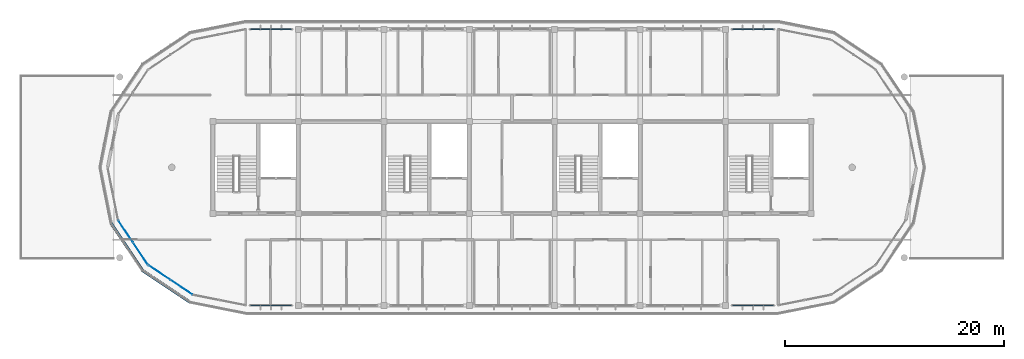
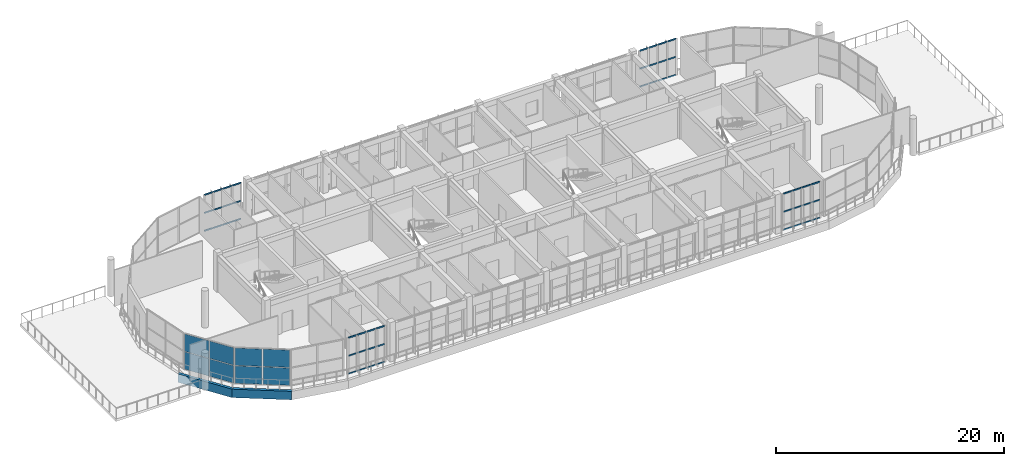
# One storey, part 27 of 44: 48 members, 10 plates, 6 elements without a shape of their own.
"""IFC4 building model written with IfcOpenShell, lengths in metres."""

from ifc_helpers import new_model, si_unit, direction, frame, origin, origin_2d, place, context, subcontext, project, spatial, polyline, rectangle, hollow_rectangle, outline, extrude, material, layer, layer_set, material_profile, profile_set, type_object, element, aggregate, save


model = new_model("IFC4")

# Units and contexts
model_context = context("Model", 3, precision=1e-05, world=origin(), true_north=direction((0.0, 1.0)))
body_context = subcontext(model_context, "Body", "Model", "MODEL_VIEW")
ifc_project = project(units=[si_unit("LENGTHUNIT", "METRE"), si_unit("AREAUNIT", "SQUARE_METRE"), si_unit("VOLUMEUNIT", "CUBIC_METRE"), si_unit("PLANEANGLEUNIT", "RADIAN"), si_unit("MASSUNIT", "GRAM", prefix="KILO")], contexts=[model_context])

# Site, building, storey
site_placement = place(None, origin())
site = spatial("IfcSite", under=ifc_project, at=site_placement, CompositionType="ELEMENT")
building_placement = place(site_placement, origin())
building = spatial("IfcBuilding", under=site, at=building_placement, Name="Zizhar Promenade General Hospital", CompositionType="ELEMENT")
storey_placement = place(building_placement, frame((0.0, 0.0, 34.800048828125)))
storey = spatial("IfcBuildingStorey", under=building, at=storey_placement, Name="L08", CompositionType="ELEMENT", Elevation=34.800048828125)

# Curtain wall, members
ifc_material_1 = material(Name="Anodised aluminium 6063-T6 and low-E glass", Category="aluminium")
ifc_layer_1 = layer(ifc_material_1, 0.159912109375)
ifc_layer_set_1 = layer_set([ifc_layer_1], Name="Anodised aluminium 6063-T6 and low-E glass")
curtain_wall_type_1 = type_object("IfcCurtainWallType", Name="CW-WARD-RIB", PredefinedType="NOTDEFINED", material=ifc_layer_set_1)
curtain_wall_1_placement = place(storey_placement, origin())
curtain_wall_1 = element("IfcCurtainWall", 1, at=curtain_wall_1_placement, inside=storey, type_object=curtain_wall_type_1, Name="Ward Ribbon Curtain Wall L08-8-0", PredefinedType="NOTDEFINED")
ifc_material_2 = material(Name="Anodised aluminium 6063-T6", Category="aluminium")
ifc_material_profile = material_profile(ifc_material_2, hollow_rectangle(XDim=0.06005859375, YDim=0.14990234375, WallThickness=0.00390625, at=origin_2d()))
ifc_profile_set = profile_set([ifc_material_profile], Name="Anodised aluminium 6063-T6")
member_type = type_object("IfcMemberType", Name="CWT-ALU-150x60", PredefinedType="USERDEFINED", material=ifc_profile_set)
member_1_placement = place(storey_placement, frame((50.260009765625, 25.199951171875, 0.030029296875), z_axis=(1.0, 0.0, 0.0), x_axis=(0.0, 1.0, 0.0)))
member_1 = element("IfcMember", 2, at=member_1_placement, type_object=member_type, Name="CW-13 transom 1.1", ObjectType="TRANSOM", PredefinedType="USERDEFINED", context=body_context, shape_type="SweptSolid", body=[
    extrude(hollow_rectangle(XDim=0.06005859375, YDim=0.14990234375, WallThickness=0.00390625, at=origin_2d()), origin(), (0.0, 0.0, 1.0), 0.840087890625),
])
member_2_placement = place(storey_placement, frame((50.260009765625, 25.199951171875, 1.949951171875), z_axis=(1.0, 0.0, 0.0), x_axis=(0.0, 1.0, 0.0)))
member_2 = element("IfcMember", 3, at=member_2_placement, type_object=member_type, Name="CW-13 transom 1.2", ObjectType="TRANSOM", PredefinedType="USERDEFINED", context=body_context, shape_type="SweptSolid", body=[
    extrude(hollow_rectangle(XDim=0.06005859375, YDim=0.14990234375, WallThickness=0.00390625, at=origin_2d()), origin(), (0.0, 0.0, 1.0), 0.840087890625),
])
member_3_placement = place(storey_placement, frame((50.260009765625, 25.199951171875, 3.869873046875), z_axis=(1.0, 0.0, 0.0), x_axis=(0.0, 1.0, 0.0)))
member_3 = element("IfcMember", 4, at=member_3_placement, type_object=member_type, Name="CW-13 transom 1.3", ObjectType="TRANSOM", PredefinedType="USERDEFINED", context=body_context, shape_type="SweptSolid", body=[
    extrude(hollow_rectangle(XDim=0.06005859375, YDim=0.14990234375, WallThickness=0.00390625, at=origin_2d()), origin(), (0.0, 0.0, 1.0), 0.840087890625),
])
member_4_placement = place(storey_placement, frame((51.179931640625, 25.199951171875, 0.030029296875), z_axis=(1.0, 0.0, 0.0), x_axis=(0.0, 1.0, 0.0)))
member_4 = element("IfcMember", 5, at=member_4_placement, type_object=member_type, Name="CW-13 transom 2.1", ObjectType="TRANSOM", PredefinedType="USERDEFINED", context=body_context, shape_type="SweptSolid", body=[
    extrude(hollow_rectangle(XDim=0.06005859375, YDim=0.14990234375, WallThickness=0.00390625, at=origin_2d()), origin(), (0.0, 0.0, 1.0), 0.880126953125),
])
member_5_placement = place(storey_placement, frame((51.179931640625, 25.199951171875, 1.949951171875), z_axis=(1.0, 0.0, 0.0), x_axis=(0.0, 1.0, 0.0)))
member_5 = element("IfcMember", 6, at=member_5_placement, type_object=member_type, Name="CW-13 transom 2.2", ObjectType="TRANSOM", PredefinedType="USERDEFINED", context=body_context, shape_type="SweptSolid", body=[
    extrude(hollow_rectangle(XDim=0.06005859375, YDim=0.14990234375, WallThickness=0.00390625, at=origin_2d()), origin(), (0.0, 0.0, 1.0), 0.880126953125),
])
member_6_placement = place(storey_placement, frame((51.179931640625, 25.199951171875, 3.869873046875), z_axis=(1.0, 0.0, 0.0), x_axis=(0.0, 1.0, 0.0)))
member_6 = element("IfcMember", 7, at=member_6_placement, type_object=member_type, Name="CW-13 transom 2.3", ObjectType="TRANSOM", PredefinedType="USERDEFINED", context=body_context, shape_type="SweptSolid", body=[
    extrude(hollow_rectangle(XDim=0.06005859375, YDim=0.14990234375, WallThickness=0.00390625, at=origin_2d()), origin(), (0.0, 0.0, 1.0), 0.880126953125),
])
member_7_placement = place(storey_placement, frame((52.139892578125, 25.199951171875, 0.030029296875), z_axis=(1.0, 0.0, 0.0), x_axis=(0.0, 1.0, 0.0)))
member_7 = element("IfcMember", 8, at=member_7_placement, type_object=member_type, Name="CW-13 transom 3.1", ObjectType="TRANSOM", PredefinedType="USERDEFINED", context=body_context, shape_type="SweptSolid", body=[
    extrude(hollow_rectangle(XDim=0.06005859375, YDim=0.14990234375, WallThickness=0.00390625, at=origin_2d()), origin(), (0.0, 0.0, 1.0), 0.880126953125),
])
member_8_placement = place(storey_placement, frame((52.139892578125, 25.199951171875, 1.949951171875), z_axis=(1.0, 0.0, 0.0), x_axis=(0.0, 1.0, 0.0)))
member_8 = element("IfcMember", 9, at=member_8_placement, type_object=member_type, Name="CW-13 transom 3.2", ObjectType="TRANSOM", PredefinedType="USERDEFINED", context=body_context, shape_type="SweptSolid", body=[
    extrude(hollow_rectangle(XDim=0.06005859375, YDim=0.14990234375, WallThickness=0.00390625, at=origin_2d()), origin(), (0.0, 0.0, 1.0), 0.880126953125),
])
member_9_placement = place(storey_placement, frame((52.139892578125, 25.199951171875, 3.869873046875), z_axis=(1.0, 0.0, 0.0), x_axis=(0.0, 1.0, 0.0)))
member_9 = element("IfcMember", 10, at=member_9_placement, type_object=member_type, Name="CW-13 transom 3.3", ObjectType="TRANSOM", PredefinedType="USERDEFINED", context=body_context, shape_type="SweptSolid", body=[
    extrude(hollow_rectangle(XDim=0.06005859375, YDim=0.14990234375, WallThickness=0.00390625, at=origin_2d()), origin(), (0.0, 0.0, 1.0), 0.880126953125),
])
member_10_placement = place(storey_placement, frame((53.10009765625, 25.199951171875, 0.030029296875), z_axis=(1.0, 0.0, 0.0), x_axis=(0.0, 1.0, 0.0)))
member_10 = element("IfcMember", 11, at=member_10_placement, type_object=member_type, Name="CW-13 transom 4.1", ObjectType="TRANSOM", PredefinedType="USERDEFINED", context=body_context, shape_type="SweptSolid", body=[
    extrude(hollow_rectangle(XDim=0.06005859375, YDim=0.14990234375, WallThickness=0.00390625, at=origin_2d()), origin(), (0.0, 0.0, 1.0), 0.83984375),
])
member_11_placement = place(storey_placement, frame((53.10009765625, 25.199951171875, 1.949951171875), z_axis=(1.0, 0.0, 0.0), x_axis=(0.0, 1.0, 0.0)))
member_11 = element("IfcMember", 12, at=member_11_placement, type_object=member_type, Name="CW-13 transom 4.2", ObjectType="TRANSOM", PredefinedType="USERDEFINED", context=body_context, shape_type="SweptSolid", body=[
    extrude(hollow_rectangle(XDim=0.06005859375, YDim=0.14990234375, WallThickness=0.00390625, at=origin_2d()), origin(), (0.0, 0.0, 1.0), 0.83984375),
])
member_12_placement = place(storey_placement, frame((53.10009765625, 25.199951171875, 3.869873046875), z_axis=(1.0, 0.0, 0.0), x_axis=(0.0, 1.0, 0.0)))
member_12 = element("IfcMember", 13, at=member_12_placement, type_object=member_type, Name="CW-13 transom 4.3", ObjectType="TRANSOM", PredefinedType="USERDEFINED", context=body_context, shape_type="SweptSolid", body=[
    extrude(hollow_rectangle(XDim=0.06005859375, YDim=0.14990234375, WallThickness=0.00390625, at=origin_2d()), origin(), (0.0, 0.0, 1.0), 0.83984375),
])
aggregate(curtain_wall_1, [member_1, member_2, member_3, member_4, member_5, member_6, member_7, member_8, member_9, member_10, member_11, member_12])

curtain_wall_2_placement = place(storey_placement, origin())
curtain_wall_2 = element("IfcCurtainWall", 14, at=curtain_wall_2_placement, inside=storey, type_object=curtain_wall_type_1, Name="Ward Ribbon Curtain Wall L08-8-6", PredefinedType="NOTDEFINED")
member_13_placement = place(storey_placement, frame((94.260009765625, 25.199951171875, 0.030029296875), z_axis=(1.0, 0.0, 0.0), x_axis=(0.0, 1.0, 0.0)))
member_13 = element("IfcMember", 15, at=member_13_placement, type_object=member_type, Name="CW-13 transom 1.1", ObjectType="TRANSOM", PredefinedType="USERDEFINED", context=body_context, shape_type="SweptSolid", body=[
    extrude(hollow_rectangle(XDim=0.06005859375, YDim=0.14990234375, WallThickness=0.00390625, at=origin_2d()), origin(), (0.0, 0.0, 1.0), 0.840087890625),
])
member_14_placement = place(storey_placement, frame((94.260009765625, 25.199951171875, 1.949951171875), z_axis=(1.0, 0.0, 0.0), x_axis=(0.0, 1.0, 0.0)))
member_14 = element("IfcMember", 16, at=member_14_placement, type_object=member_type, Name="CW-13 transom 1.2", ObjectType="TRANSOM", PredefinedType="USERDEFINED", context=body_context, shape_type="SweptSolid", body=[
    extrude(hollow_rectangle(XDim=0.06005859375, YDim=0.14990234375, WallThickness=0.00390625, at=origin_2d()), origin(), (0.0, 0.0, 1.0), 0.840087890625),
])
member_15_placement = place(storey_placement, frame((94.260009765625, 25.199951171875, 3.869873046875), z_axis=(1.0, 0.0, 0.0), x_axis=(0.0, 1.0, 0.0)))
member_15 = element("IfcMember", 17, at=member_15_placement, type_object=member_type, Name="CW-13 transom 1.3", ObjectType="TRANSOM", PredefinedType="USERDEFINED", context=body_context, shape_type="SweptSolid", body=[
    extrude(hollow_rectangle(XDim=0.06005859375, YDim=0.14990234375, WallThickness=0.00390625, at=origin_2d()), origin(), (0.0, 0.0, 1.0), 0.840087890625),
])
member_16_placement = place(storey_placement, frame((95.179931640625, 25.199951171875, 0.030029296875), z_axis=(1.0, 0.0, 0.0), x_axis=(0.0, 1.0, 0.0)))
member_16 = element("IfcMember", 18, at=member_16_placement, type_object=member_type, Name="CW-13 transom 2.1", ObjectType="TRANSOM", PredefinedType="USERDEFINED", context=body_context, shape_type="SweptSolid", body=[
    extrude(hollow_rectangle(XDim=0.06005859375, YDim=0.14990234375, WallThickness=0.00390625, at=origin_2d()), origin(), (0.0, 0.0, 1.0), 0.880126953125),
])
member_17_placement = place(storey_placement, frame((95.179931640625, 25.199951171875, 1.949951171875), z_axis=(1.0, 0.0, 0.0), x_axis=(0.0, 1.0, 0.0)))
member_17 = element("IfcMember", 19, at=member_17_placement, type_object=member_type, Name="CW-13 transom 2.2", ObjectType="TRANSOM", PredefinedType="USERDEFINED", context=body_context, shape_type="SweptSolid", body=[
    extrude(hollow_rectangle(XDim=0.06005859375, YDim=0.14990234375, WallThickness=0.00390625, at=origin_2d()), origin(), (0.0, 0.0, 1.0), 0.880126953125),
])
member_18_placement = place(storey_placement, frame((95.179931640625, 25.199951171875, 3.869873046875), z_axis=(1.0, 0.0, 0.0), x_axis=(0.0, 1.0, 0.0)))
member_18 = element("IfcMember", 20, at=member_18_placement, type_object=member_type, Name="CW-13 transom 2.3", ObjectType="TRANSOM", PredefinedType="USERDEFINED", context=body_context, shape_type="SweptSolid", body=[
    extrude(hollow_rectangle(XDim=0.06005859375, YDim=0.14990234375, WallThickness=0.00390625, at=origin_2d()), origin(), (0.0, 0.0, 1.0), 0.880126953125),
])
member_19_placement = place(storey_placement, frame((96.139892578125, 25.199951171875, 0.030029296875), z_axis=(1.0, 0.0, 0.0), x_axis=(0.0, 1.0, 0.0)))
member_19 = element("IfcMember", 21, at=member_19_placement, type_object=member_type, Name="CW-13 transom 3.1", ObjectType="TRANSOM", PredefinedType="USERDEFINED", context=body_context, shape_type="SweptSolid", body=[
    extrude(hollow_rectangle(XDim=0.06005859375, YDim=0.14990234375, WallThickness=0.00390625, at=origin_2d()), origin(), (0.0, 0.0, 1.0), 0.880126953125),
])
member_20_placement = place(storey_placement, frame((96.139892578125, 25.199951171875, 1.949951171875), z_axis=(1.0, 0.0, 0.0), x_axis=(0.0, 1.0, 0.0)))
member_20 = element("IfcMember", 22, at=member_20_placement, type_object=member_type, Name="CW-13 transom 3.2", ObjectType="TRANSOM", PredefinedType="USERDEFINED", context=body_context, shape_type="SweptSolid", body=[
    extrude(hollow_rectangle(XDim=0.06005859375, YDim=0.14990234375, WallThickness=0.00390625, at=origin_2d()), origin(), (0.0, 0.0, 1.0), 0.880126953125),
])
member_21_placement = place(storey_placement, frame((96.139892578125, 25.199951171875, 3.869873046875), z_axis=(1.0, 0.0, 0.0), x_axis=(0.0, 1.0, 0.0)))
member_21 = element("IfcMember", 23, at=member_21_placement, type_object=member_type, Name="CW-13 transom 3.3", ObjectType="TRANSOM", PredefinedType="USERDEFINED", context=body_context, shape_type="SweptSolid", body=[
    extrude(hollow_rectangle(XDim=0.06005859375, YDim=0.14990234375, WallThickness=0.00390625, at=origin_2d()), origin(), (0.0, 0.0, 1.0), 0.880126953125),
])
member_22_placement = place(storey_placement, frame((97.10009765625, 25.199951171875, 0.030029296875), z_axis=(1.0, 0.0, 0.0), x_axis=(0.0, 1.0, 0.0)))
member_22 = element("IfcMember", 24, at=member_22_placement, type_object=member_type, Name="CW-13 transom 4.1", ObjectType="TRANSOM", PredefinedType="USERDEFINED", context=body_context, shape_type="SweptSolid", body=[
    extrude(hollow_rectangle(XDim=0.06005859375, YDim=0.14990234375, WallThickness=0.00390625, at=origin_2d()), origin(), (0.0, 0.0, 1.0), 0.83984375),
])
member_23_placement = place(storey_placement, frame((97.10009765625, 25.199951171875, 1.949951171875), z_axis=(1.0, 0.0, 0.0), x_axis=(0.0, 1.0, 0.0)))
member_23 = element("IfcMember", 25, at=member_23_placement, type_object=member_type, Name="CW-13 transom 4.2", ObjectType="TRANSOM", PredefinedType="USERDEFINED", context=body_context, shape_type="SweptSolid", body=[
    extrude(hollow_rectangle(XDim=0.06005859375, YDim=0.14990234375, WallThickness=0.00390625, at=origin_2d()), origin(), (0.0, 0.0, 1.0), 0.83984375),
])
member_24_placement = place(storey_placement, frame((97.10009765625, 25.199951171875, 3.869873046875), z_axis=(1.0, 0.0, 0.0), x_axis=(0.0, 1.0, 0.0)))
member_24 = element("IfcMember", 26, at=member_24_placement, type_object=member_type, Name="CW-13 transom 4.3", ObjectType="TRANSOM", PredefinedType="USERDEFINED", context=body_context, shape_type="SweptSolid", body=[
    extrude(hollow_rectangle(XDim=0.06005859375, YDim=0.14990234375, WallThickness=0.00390625, at=origin_2d()), origin(), (0.0, 0.0, 1.0), 0.83984375),
])
aggregate(curtain_wall_2, [member_13, member_14, member_15, member_16, member_17, member_18, member_19, member_20, member_21, member_22, member_23, member_24])

curtain_wall_3_placement = place(storey_placement, origin())
curtain_wall_3 = element("IfcCurtainWall", 27, at=curtain_wall_3_placement, inside=storey, type_object=curtain_wall_type_1, Name="Ward Ribbon Curtain Wall L08-17-0", PredefinedType="NOTDEFINED")
member_25_placement = place(storey_placement, frame((97.93994140625, 0.0, 0.030029296875), z_axis=(-1.0, 0.0, 0.0), x_axis=(0.0, -1.0, 0.0)))
member_25 = element("IfcMember", 28, at=member_25_placement, type_object=member_type, Name="CW-13 transom 1.1", ObjectType="TRANSOM", PredefinedType="USERDEFINED", context=body_context, shape_type="SweptSolid", body=[
    extrude(hollow_rectangle(XDim=0.06005859375, YDim=0.14990234375, WallThickness=0.00390625, at=origin_2d()), origin(), (0.0, 0.0, 1.0), 0.83984375),
])
member_26_placement = place(storey_placement, frame((97.93994140625, 0.0, 1.949951171875), z_axis=(-1.0, 0.0, 0.0), x_axis=(0.0, -1.0, 0.0)))
member_26 = element("IfcMember", 29, at=member_26_placement, type_object=member_type, Name="CW-13 transom 1.2", ObjectType="TRANSOM", PredefinedType="USERDEFINED", context=body_context, shape_type="SweptSolid", body=[
    extrude(hollow_rectangle(XDim=0.06005859375, YDim=0.14990234375, WallThickness=0.00390625, at=origin_2d()), origin(), (0.0, 0.0, 1.0), 0.83984375),
])
member_27_placement = place(storey_placement, frame((97.93994140625, 0.0, 3.869873046875), z_axis=(-1.0, 0.0, 0.0), x_axis=(0.0, -1.0, 0.0)))
member_27 = element("IfcMember", 30, at=member_27_placement, type_object=member_type, Name="CW-13 transom 1.3", ObjectType="TRANSOM", PredefinedType="USERDEFINED", context=body_context, shape_type="SweptSolid", body=[
    extrude(hollow_rectangle(XDim=0.06005859375, YDim=0.14990234375, WallThickness=0.00390625, at=origin_2d()), origin(), (0.0, 0.0, 1.0), 0.83984375),
])
member_28_placement = place(storey_placement, frame((97.02001953125, 0.0, 0.030029296875), z_axis=(-1.0, 0.0, 0.0), x_axis=(0.0, -1.0, 0.0)))
member_28 = element("IfcMember", 31, at=member_28_placement, type_object=member_type, Name="CW-13 transom 2.1", ObjectType="TRANSOM", PredefinedType="USERDEFINED", context=body_context, shape_type="SweptSolid", body=[
    extrude(hollow_rectangle(XDim=0.06005859375, YDim=0.14990234375, WallThickness=0.00390625, at=origin_2d()), origin(), (0.0, 0.0, 1.0), 0.880126953125),
])
member_29_placement = place(storey_placement, frame((97.02001953125, 0.0, 1.949951171875), z_axis=(-1.0, 0.0, 0.0), x_axis=(0.0, -1.0, 0.0)))
member_29 = element("IfcMember", 32, at=member_29_placement, type_object=member_type, Name="CW-13 transom 2.2", ObjectType="TRANSOM", PredefinedType="USERDEFINED", context=body_context, shape_type="SweptSolid", body=[
    extrude(hollow_rectangle(XDim=0.06005859375, YDim=0.14990234375, WallThickness=0.00390625, at=origin_2d()), origin(), (0.0, 0.0, 1.0), 0.880126953125),
])
member_30_placement = place(storey_placement, frame((97.02001953125, 0.0, 3.869873046875), z_axis=(-1.0, 0.0, 0.0), x_axis=(0.0, -1.0, 0.0)))
member_30 = element("IfcMember", 33, at=member_30_placement, type_object=member_type, Name="CW-13 transom 2.3", ObjectType="TRANSOM", PredefinedType="USERDEFINED", context=body_context, shape_type="SweptSolid", body=[
    extrude(hollow_rectangle(XDim=0.06005859375, YDim=0.14990234375, WallThickness=0.00390625, at=origin_2d()), origin(), (0.0, 0.0, 1.0), 0.880126953125),
])
member_31_placement = place(storey_placement, frame((96.06005859375, 0.0, 0.030029296875), z_axis=(-1.0, 0.0, 0.0), x_axis=(0.0, -1.0, 0.0)))
member_31 = element("IfcMember", 34, at=member_31_placement, type_object=member_type, Name="CW-13 transom 3.1", ObjectType="TRANSOM", PredefinedType="USERDEFINED", context=body_context, shape_type="SweptSolid", body=[
    extrude(hollow_rectangle(XDim=0.06005859375, YDim=0.14990234375, WallThickness=0.00390625, at=origin_2d()), origin(), (0.0, 0.0, 1.0), 0.880126953125),
])
member_32_placement = place(storey_placement, frame((96.06005859375, 0.0, 1.949951171875), z_axis=(-1.0, 0.0, 0.0), x_axis=(0.0, -1.0, 0.0)))
member_32 = element("IfcMember", 35, at=member_32_placement, type_object=member_type, Name="CW-13 transom 3.2", ObjectType="TRANSOM", PredefinedType="USERDEFINED", context=body_context, shape_type="SweptSolid", body=[
    extrude(hollow_rectangle(XDim=0.06005859375, YDim=0.14990234375, WallThickness=0.00390625, at=origin_2d()), origin(), (0.0, 0.0, 1.0), 0.880126953125),
])
member_33_placement = place(storey_placement, frame((96.06005859375, 0.0, 3.869873046875), z_axis=(-1.0, 0.0, 0.0), x_axis=(0.0, -1.0, 0.0)))
member_33 = element("IfcMember", 36, at=member_33_placement, type_object=member_type, Name="CW-13 transom 3.3", ObjectType="TRANSOM", PredefinedType="USERDEFINED", context=body_context, shape_type="SweptSolid", body=[
    extrude(hollow_rectangle(XDim=0.06005859375, YDim=0.14990234375, WallThickness=0.00390625, at=origin_2d()), origin(), (0.0, 0.0, 1.0), 0.880126953125),
])
member_34_placement = place(storey_placement, frame((95.10009765625, 0.0, 0.030029296875), z_axis=(-1.0, 0.0, 0.0), x_axis=(0.0, -1.0, 0.0)))
member_34 = element("IfcMember", 37, at=member_34_placement, type_object=member_type, Name="CW-13 transom 4.1", ObjectType="TRANSOM", PredefinedType="USERDEFINED", context=body_context, shape_type="SweptSolid", body=[
    extrude(hollow_rectangle(XDim=0.06005859375, YDim=0.14990234375, WallThickness=0.00390625, at=origin_2d()), origin(), (0.0, 0.0, 1.0), 0.840087890625),
])
member_35_placement = place(storey_placement, frame((95.10009765625, 0.0, 1.949951171875), z_axis=(-1.0, 0.0, 0.0), x_axis=(0.0, -1.0, 0.0)))
member_35 = element("IfcMember", 38, at=member_35_placement, type_object=member_type, Name="CW-13 transom 4.2", ObjectType="TRANSOM", PredefinedType="USERDEFINED", context=body_context, shape_type="SweptSolid", body=[
    extrude(hollow_rectangle(XDim=0.06005859375, YDim=0.14990234375, WallThickness=0.00390625, at=origin_2d()), origin(), (0.0, 0.0, 1.0), 0.840087890625),
])
member_36_placement = place(storey_placement, frame((95.10009765625, 0.0, 3.869873046875), z_axis=(-1.0, 0.0, 0.0), x_axis=(0.0, -1.0, 0.0)))
member_36 = element("IfcMember", 39, at=member_36_placement, type_object=member_type, Name="CW-13 transom 4.3", ObjectType="TRANSOM", PredefinedType="USERDEFINED", context=body_context, shape_type="SweptSolid", body=[
    extrude(hollow_rectangle(XDim=0.06005859375, YDim=0.14990234375, WallThickness=0.00390625, at=origin_2d()), origin(), (0.0, 0.0, 1.0), 0.840087890625),
])
aggregate(curtain_wall_3, [member_25, member_26, member_27, member_28, member_29, member_30, member_31, member_32, member_33, member_34, member_35, member_36])

curtain_wall_4_placement = place(storey_placement, origin())
curtain_wall_4 = element("IfcCurtainWall", 40, at=curtain_wall_4_placement, inside=storey, type_object=curtain_wall_type_1, Name="Ward Ribbon Curtain Wall L08-17-6", PredefinedType="NOTDEFINED")
member_37_placement = place(storey_placement, frame((53.93994140625, 0.0, 0.030029296875), z_axis=(-1.0, 0.0, 0.0), x_axis=(0.0, -1.0, 0.0)))
member_37 = element("IfcMember", 41, at=member_37_placement, type_object=member_type, Name="CW-13 transom 1.1", ObjectType="TRANSOM", PredefinedType="USERDEFINED", context=body_context, shape_type="SweptSolid", body=[
    extrude(hollow_rectangle(XDim=0.06005859375, YDim=0.14990234375, WallThickness=0.00390625, at=origin_2d()), origin(), (0.0, 0.0, 1.0), 0.83984375),
])
member_38_placement = place(storey_placement, frame((53.93994140625, 0.0, 1.949951171875), z_axis=(-1.0, 0.0, 0.0), x_axis=(0.0, -1.0, 0.0)))
member_38 = element("IfcMember", 42, at=member_38_placement, type_object=member_type, Name="CW-13 transom 1.2", ObjectType="TRANSOM", PredefinedType="USERDEFINED", context=body_context, shape_type="SweptSolid", body=[
    extrude(hollow_rectangle(XDim=0.06005859375, YDim=0.14990234375, WallThickness=0.00390625, at=origin_2d()), origin(), (0.0, 0.0, 1.0), 0.83984375),
])
member_39_placement = place(storey_placement, frame((53.93994140625, 0.0, 3.869873046875), z_axis=(-1.0, 0.0, 0.0), x_axis=(0.0, -1.0, 0.0)))
member_39 = element("IfcMember", 43, at=member_39_placement, type_object=member_type, Name="CW-13 transom 1.3", ObjectType="TRANSOM", PredefinedType="USERDEFINED", context=body_context, shape_type="SweptSolid", body=[
    extrude(hollow_rectangle(XDim=0.06005859375, YDim=0.14990234375, WallThickness=0.00390625, at=origin_2d()), origin(), (0.0, 0.0, 1.0), 0.83984375),
])
member_40_placement = place(storey_placement, frame((53.02001953125, 0.0, 0.030029296875), z_axis=(-1.0, 0.0, 0.0), x_axis=(0.0, -1.0, 0.0)))
member_40 = element("IfcMember", 44, at=member_40_placement, type_object=member_type, Name="CW-13 transom 2.1", ObjectType="TRANSOM", PredefinedType="USERDEFINED", context=body_context, shape_type="SweptSolid", body=[
    extrude(hollow_rectangle(XDim=0.06005859375, YDim=0.14990234375, WallThickness=0.00390625, at=origin_2d()), origin(), (0.0, 0.0, 1.0), 0.880126953125),
])
member_41_placement = place(storey_placement, frame((53.02001953125, 0.0, 1.949951171875), z_axis=(-1.0, 0.0, 0.0), x_axis=(0.0, -1.0, 0.0)))
member_41 = element("IfcMember", 45, at=member_41_placement, type_object=member_type, Name="CW-13 transom 2.2", ObjectType="TRANSOM", PredefinedType="USERDEFINED", context=body_context, shape_type="SweptSolid", body=[
    extrude(hollow_rectangle(XDim=0.06005859375, YDim=0.14990234375, WallThickness=0.00390625, at=origin_2d()), origin(), (0.0, 0.0, 1.0), 0.880126953125),
])
member_42_placement = place(storey_placement, frame((53.02001953125, 0.0, 3.869873046875), z_axis=(-1.0, 0.0, 0.0), x_axis=(0.0, -1.0, 0.0)))
member_42 = element("IfcMember", 46, at=member_42_placement, type_object=member_type, Name="CW-13 transom 2.3", ObjectType="TRANSOM", PredefinedType="USERDEFINED", context=body_context, shape_type="SweptSolid", body=[
    extrude(hollow_rectangle(XDim=0.06005859375, YDim=0.14990234375, WallThickness=0.00390625, at=origin_2d()), origin(), (0.0, 0.0, 1.0), 0.880126953125),
])
member_43_placement = place(storey_placement, frame((52.06005859375, 0.0, 0.030029296875), z_axis=(-1.0, 0.0, 0.0), x_axis=(0.0, -1.0, 0.0)))
member_43 = element("IfcMember", 47, at=member_43_placement, type_object=member_type, Name="CW-13 transom 3.1", ObjectType="TRANSOM", PredefinedType="USERDEFINED", context=body_context, shape_type="SweptSolid", body=[
    extrude(hollow_rectangle(XDim=0.06005859375, YDim=0.14990234375, WallThickness=0.00390625, at=origin_2d()), origin(), (0.0, 0.0, 1.0), 0.880126953125),
])
member_44_placement = place(storey_placement, frame((52.06005859375, 0.0, 1.949951171875), z_axis=(-1.0, 0.0, 0.0), x_axis=(0.0, -1.0, 0.0)))
member_44 = element("IfcMember", 48, at=member_44_placement, type_object=member_type, Name="CW-13 transom 3.2", ObjectType="TRANSOM", PredefinedType="USERDEFINED", context=body_context, shape_type="SweptSolid", body=[
    extrude(hollow_rectangle(XDim=0.06005859375, YDim=0.14990234375, WallThickness=0.00390625, at=origin_2d()), origin(), (0.0, 0.0, 1.0), 0.880126953125),
])
member_45_placement = place(storey_placement, frame((52.06005859375, 0.0, 3.869873046875), z_axis=(-1.0, 0.0, 0.0), x_axis=(0.0, -1.0, 0.0)))
member_45 = element("IfcMember", 49, at=member_45_placement, type_object=member_type, Name="CW-13 transom 3.3", ObjectType="TRANSOM", PredefinedType="USERDEFINED", context=body_context, shape_type="SweptSolid", body=[
    extrude(hollow_rectangle(XDim=0.06005859375, YDim=0.14990234375, WallThickness=0.00390625, at=origin_2d()), origin(), (0.0, 0.0, 1.0), 0.880126953125),
])
member_46_placement = place(storey_placement, frame((51.10009765625, 0.0, 0.030029296875), z_axis=(-1.0, 0.0, 0.0), x_axis=(0.0, -1.0, 0.0)))
member_46 = element("IfcMember", 50, at=member_46_placement, type_object=member_type, Name="CW-13 transom 4.1", ObjectType="TRANSOM", PredefinedType="USERDEFINED", context=body_context, shape_type="SweptSolid", body=[
    extrude(hollow_rectangle(XDim=0.06005859375, YDim=0.14990234375, WallThickness=0.00390625, at=origin_2d()), origin(), (0.0, 0.0, 1.0), 0.840087890625),
])
member_47_placement = place(storey_placement, frame((51.10009765625, 0.0, 1.949951171875), z_axis=(-1.0, 0.0, 0.0), x_axis=(0.0, -1.0, 0.0)))
member_47 = element("IfcMember", 51, at=member_47_placement, type_object=member_type, Name="CW-13 transom 4.2", ObjectType="TRANSOM", PredefinedType="USERDEFINED", context=body_context, shape_type="SweptSolid", body=[
    extrude(hollow_rectangle(XDim=0.06005859375, YDim=0.14990234375, WallThickness=0.00390625, at=origin_2d()), origin(), (0.0, 0.0, 1.0), 0.840087890625),
])
member_48_placement = place(storey_placement, frame((51.10009765625, 0.0, 3.869873046875), z_axis=(-1.0, 0.0, 0.0), x_axis=(0.0, -1.0, 0.0)))
member_48 = element("IfcMember", 52, at=member_48_placement, type_object=member_type, Name="CW-13 transom 4.3", ObjectType="TRANSOM", PredefinedType="USERDEFINED", context=body_context, shape_type="SweptSolid", body=[
    extrude(hollow_rectangle(XDim=0.06005859375, YDim=0.14990234375, WallThickness=0.00390625, at=origin_2d()), origin(), (0.0, 0.0, 1.0), 0.840087890625),
])
aggregate(curtain_wall_4, [member_37, member_38, member_39, member_40, member_41, member_42, member_43, member_44, member_45, member_46, member_47, member_48])

# Curtain wall, plates
ifc_material_3 = material(Name="Anodised aluminium 6063-T6 and low-E glass", Category="aluminium")
ifc_layer_2 = layer(ifc_material_3, 0.159912109375)
ifc_layer_set_2 = layer_set([ifc_layer_2], Name="Anodised aluminium 6063-T6 and low-E glass")
curtain_wall_type_2 = type_object("IfcCurtainWallType", Name="CW-WARD-ARC", PredefinedType="NOTDEFINED", material=ifc_layer_set_2)
curtain_wall_5_placement = place(storey_placement, origin())
curtain_wall_5 = element("IfcCurtainWall", 53, at=curtain_wall_5_placement, inside=storey, type_object=curtain_wall_type_2, Name="Ward Semicircular End Glazing L08-15", PredefinedType="NOTDEFINED")
ifc_material_4 = material(Name="Low-E solar-control glass", Category="glass")
ifc_layer_3 = layer(ifc_material_4, 0.031982421875)
ifc_layer_set_3 = layer_set([ifc_layer_3], Name="Low-E solar-control glass")
plate_type_1 = type_object("IfcPlateType", Name="CWP-GLZ-32", PredefinedType="CURTAIN_PANEL", material=ifc_layer_set_3)
plate_1_placement = place(storey_placement, frame((40.19921875, 4.724853515625, 0.06005859375), z_axis=(0.0, 0.0, 1.0), x_axis=(-0.555582352095, 0.831461514468, 0.0)))
plate_1 = element("IfcPlate", 54, at=plate_1_placement, type_object=plate_type_1, Name="CW-12 panel 1.1", PredefinedType="CURTAIN_PANEL", context=body_context, shape_type="SweptSolid", body=[
    extrude(rectangle(XDim=2.3681640625, YDim=0.031982421875, at=origin_2d()), origin(), (0.0, 0.0, 1.0), 1.860107421875),
])
plate_2_placement = place(storey_placement, frame((40.19921875, 4.724853515625, 1.97998046875), z_axis=(0.0, 0.0, 1.0), x_axis=(-0.555582352095, 0.831461514468, 0.0)))
plate_2 = element("IfcPlate", 55, at=plate_2_placement, type_object=plate_type_1, Name="CW-12 panel 1.2", PredefinedType="CURTAIN_PANEL", context=body_context, shape_type="SweptSolid", body=[
    extrude(rectangle(XDim=2.3681640625, YDim=0.031982421875, at=origin_2d()), origin(), (0.0, 0.0, 1.0), 1.860107421875),
])
plate_3_placement = place(storey_placement, frame((38.850341796875, 6.743896484375, 0.06005859375), z_axis=(0.0, 0.0, 1.0), x_axis=(-0.555582352095, 0.831461514468, 0.0)))
plate_3 = element("IfcPlate", 56, at=plate_3_placement, type_object=plate_type_1, Name="CW-12 panel 2.1", PredefinedType="CURTAIN_PANEL", context=body_context, shape_type="SweptSolid", body=[
    extrude(rectangle(XDim=2.3681640625, YDim=0.031982421875, at=origin_2d()), origin(), (0.0, 0.0, 1.0), 1.860107421875),
])
plate_4_placement = place(storey_placement, frame((38.850341796875, 6.743896484375, 1.97998046875), z_axis=(0.0, 0.0, 1.0), x_axis=(-0.555582352095, 0.831461514468, 0.0)))
plate_4 = element("IfcPlate", 57, at=plate_4_placement, type_object=plate_type_1, Name="CW-12 panel 2.2", PredefinedType="CURTAIN_PANEL", context=body_context, shape_type="SweptSolid", body=[
    extrude(rectangle(XDim=2.3681640625, YDim=0.031982421875, at=origin_2d()), origin(), (0.0, 0.0, 1.0), 1.860107421875),
])
aggregate(curtain_wall_5, [plate_1, plate_2, plate_3, plate_4])

curtain_wall_6_placement = place(storey_placement, origin())
curtain_wall_6 = element("IfcCurtainWall", 58, at=curtain_wall_6_placement, inside=storey, type_object=curtain_wall_type_2, Name="Ward Semicircular End Glazing L08-16", PredefinedType="NOTDEFINED")
plate_5_placement = place(storey_placement, frame((43.94384765625, 1.650390625, 0.06005859375), z_axis=(0.0, 0.0, 1.0), x_axis=(-0.831461514468, 0.555582352095, 0.0)))
plate_5 = element("IfcPlate", 59, at=plate_5_placement, type_object=plate_type_1, Name="CW-12 panel 1.1", PredefinedType="CURTAIN_PANEL", context=body_context, shape_type="SweptSolid", body=[
    extrude(rectangle(XDim=2.3681640625, YDim=0.031982421875, at=origin_2d()), origin(), (0.0, 0.0, 1.0), 1.860107421875),
])
plate_6_placement = place(storey_placement, frame((43.94384765625, 1.650390625, 1.97998046875), z_axis=(0.0, 0.0, 1.0), x_axis=(-0.831461514468, 0.555582352095, 0.0)))
plate_6 = element("IfcPlate", 60, at=plate_6_placement, type_object=plate_type_1, Name="CW-12 panel 1.2", PredefinedType="CURTAIN_PANEL", context=body_context, shape_type="SweptSolid", body=[
    extrude(rectangle(XDim=2.3681640625, YDim=0.031982421875, at=origin_2d()), origin(), (0.0, 0.0, 1.0), 1.860107421875),
])
plate_7_placement = place(storey_placement, frame((41.9248046875, 2.999267578125, 0.06005859375), z_axis=(0.0, 0.0, 1.0), x_axis=(-0.831461514468, 0.555582352095, 0.0)))
plate_7 = element("IfcPlate", 61, at=plate_7_placement, type_object=plate_type_1, Name="CW-12 panel 2.1", PredefinedType="CURTAIN_PANEL", context=body_context, shape_type="SweptSolid", body=[
    extrude(rectangle(XDim=2.3681640625, YDim=0.031982421875, at=origin_2d()), origin(), (0.0, 0.0, 1.0), 1.860107421875),
])
plate_8_placement = place(storey_placement, frame((41.9248046875, 2.999267578125, 1.97998046875), z_axis=(0.0, 0.0, 1.0), x_axis=(-0.831461514468, 0.555582352095, 0.0)))
plate_8 = element("IfcPlate", 62, at=plate_8_placement, type_object=plate_type_1, Name="CW-12 panel 2.2", PredefinedType="CURTAIN_PANEL", context=body_context, shape_type="SweptSolid", body=[
    extrude(rectangle(XDim=2.3681640625, YDim=0.031982421875, at=origin_2d()), origin(), (0.0, 0.0, 1.0), 1.860107421875),
])
aggregate(curtain_wall_6, [plate_5, plate_6, plate_7, plate_8])

# Plates
ifc_material_5 = material(Name="Precast concrete C40/50", Category="concrete")
ifc_layer_4 = layer(ifc_material_5, 0.260009765625)
ifc_layer_set_4 = layer_set([ifc_layer_4], Name="Precast concrete C40/50")
plate_type_2 = type_object("IfcPlateType", Name="PL-PC-BAND950", PredefinedType="USERDEFINED", material=ifc_layer_set_4)
plate_9_placement = place(storey_placement, frame((0.0, 0.0, -0.900146484375)))
element("IfcPlate", 63, at=plate_9_placement, inside=storey, type_object=plate_type_2, Name="Ward Precast Slab Band L08-15", ObjectType="FASCIA_BAND", PredefinedType="USERDEFINED", context=body_context, shape_type="SweptSolid", body=[
    extrude(outline(polyline([(37.373779296875, 7.452880859375), (40.289306640625, 3.08935546875), (40.505615234375, 3.23388671875), (37.590087890625, 7.597412109375), (37.373779296875, 7.452880859375)])), origin(), (0.0, 0.0, 1.0), 0.900146484375),
])
plate_10_placement = place(storey_placement, frame((0.0, 0.0, -0.900146484375)))
element("IfcPlate", 64, at=plate_10_placement, inside=storey, type_object=plate_type_2, Name="Ward Precast Slab Band L08-16", ObjectType="FASCIA_BAND", PredefinedType="USERDEFINED", context=body_context, shape_type="SweptSolid", body=[
    extrude(outline(polyline([(40.289306640625, 3.08935546875), (44.65283203125, 0.173828125), (44.79736328125, 0.389892578125), (40.433837890625, 3.3056640625), (40.289306640625, 3.08935546875)])), origin(), (0.0, 0.0, 1.0), 0.900146484375),
])

save(model, "model.ifc")
